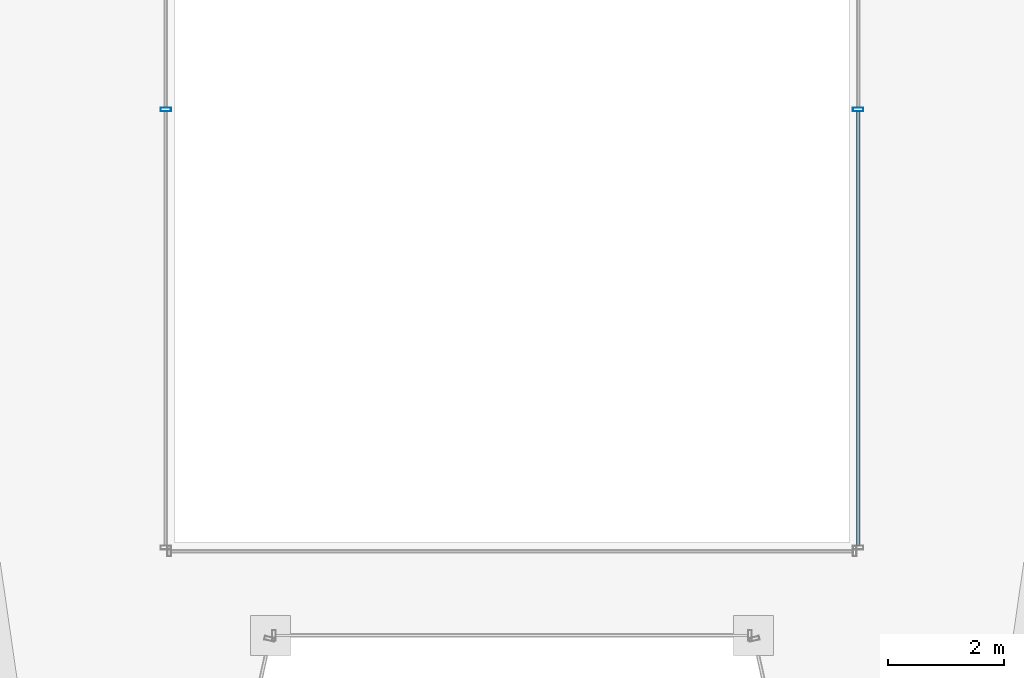
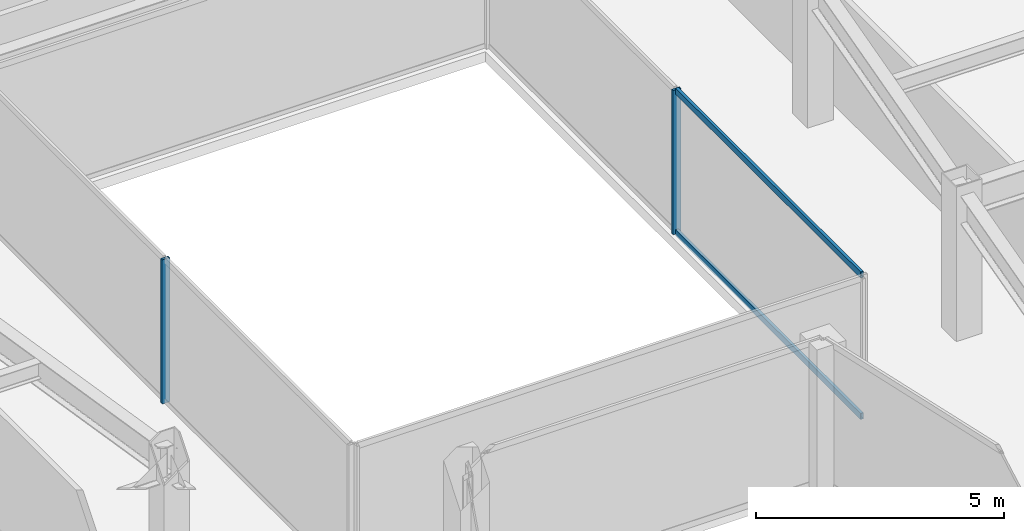
# One storey, part 11 of 38: 4 members, 2 elements without a shape of their own.
"""IFC4 building model written with IfcOpenShell, lengths in metres."""

from ifc_helpers import new_model, si_unit, direction, frame, origin, origin_2d, place, context, subcontext, project, spatial, hollow_rectangle, extrude, material, material_profile, profile_set, type_object, element, aggregate, save


model = new_model("IFC4")

# Units and contexts
model_context = context("Model", 3, precision=1e-05, world=origin(), true_north=direction((0.0, 1.0)))
body_context = subcontext(model_context, "Body", "Model", "MODEL_VIEW")
ifc_project = project(units=[si_unit("LENGTHUNIT", "METRE"), si_unit("AREAUNIT", "SQUARE_METRE"), si_unit("VOLUMEUNIT", "CUBIC_METRE"), si_unit("PLANEANGLEUNIT", "RADIAN"), si_unit("MASSUNIT", "GRAM", prefix="KILO")], contexts=[model_context])

# Site, building, storey
site_placement = place(None, origin())
site = spatial("IfcSite", under=ifc_project, at=site_placement, CompositionType="ELEMENT")
building_placement = place(site_placement, origin())
building = spatial("IfcBuilding", under=site, at=building_placement, Name="Saevonmaru Cultural Tower", CompositionType="ELEMENT")
storey_placement = place(building_placement, frame((0.0, 0.0, 133.39990234375)))
storey = spatial("IfcBuildingStorey", under=building, at=storey_placement, Name="L28", CompositionType="ELEMENT", Elevation=133.39990234375)

# Curtain wall, member
ifc_material = material(Name="Satin Bronze Anodised Aluminium", Category="aluminium")
curtain_wall_type = type_object("IfcCurtainWallType", Name="CW-ATR-GLZ", PredefinedType="NOTDEFINED", material=ifc_material)
curtain_wall_1_placement = place(storey_placement, origin())
curtain_wall_1 = element("IfcCurtainWall", 1, at=curtain_wall_1_placement, inside=storey, type_object=curtain_wall_type, Name="L28 Vertical Atrium Glazed Smoke Screen 2", PredefinedType="NOTDEFINED")
ifc_material_profile_1 = material_profile(ifc_material, hollow_rectangle(XDim=0.06494140625, YDim=0.179931640625, WallThickness=0.00390625, at=origin_2d()), Name="ALU-MULL-180x65x4")
ifc_profile_set_1 = profile_set([ifc_material_profile_1], Name="Satin Bronze Anodised Aluminium")
member_type_1 = type_object("IfcMemberType", Name="ML-CW-INT-180x65", PredefinedType="MULLION", material=ifc_profile_set_1)
member_1_placement = place(storey_placement, frame((35.949951171875, 29.840087890625, 0.0), z_axis=(0.0, 0.0, 1.0), x_axis=(0.0, 1.0, 0.0)))
member_1 = element("IfcMember", 2, at=member_1_placement, type_object=member_type_1, Name="CW-ATR-L28-2 mullion 2", PredefinedType="MULLION", context=body_context, shape_type="SweptSolid", body=[
    extrude(hollow_rectangle(XDim=0.06494140625, YDim=0.179931640625, WallThickness=0.00390625, at=origin_2d()), origin(), (0.0, 0.0, 1.0), 3.550048828125),
])

curtain_wall_2_placement = place(storey_placement, origin())
curtain_wall_2 = element("IfcCurtainWall", 3, at=curtain_wall_2_placement, inside=storey, type_object=curtain_wall_type, Name="L28 Vertical Atrium Glazed Smoke Screen 4", PredefinedType="NOTDEFINED")
member_2_placement = place(storey_placement, frame((24.050048828125, 29.840087890625, 0.0), z_axis=(0.0, 0.0, 1.0), x_axis=(0.0, -1.0, 0.0)))
member_2 = element("IfcMember", 4, at=member_2_placement, type_object=member_type_1, Name="CW-ATR-L28-4 mullion 2", PredefinedType="MULLION", context=body_context, shape_type="SweptSolid", body=[
    extrude(hollow_rectangle(XDim=0.06494140625, YDim=0.179931640625, WallThickness=0.00390625, at=origin_2d()), origin(), (0.0, 0.0, 1.0), 3.550048828125),
])
aggregate(curtain_wall_2, [member_2])

# Member
ifc_material_profile_2 = material_profile(ifc_material, hollow_rectangle(XDim=0.06494140625, YDim=0.14990234375, WallThickness=0.00390625, at=origin_2d()), Name="ALU-TRAN-150x65x4")
ifc_profile_set_2 = profile_set([ifc_material_profile_2], Name="Satin Bronze Anodised Aluminium")
member_type_2 = type_object("IfcMemberType", Name="TR-CW-INT-150x65", PredefinedType="USERDEFINED", material=ifc_profile_set_2)
member_3_placement = place(storey_placement, frame((35.949951171875, 22.342529296875, 0.03271484375), z_axis=(0.0, 1.0, 0.0), x_axis=(-1.0, 0.0, 0.0)))
member_3 = element("IfcMember", 5, at=member_3_placement, type_object=member_type_2, Name="CW-ATR-L28-2 transom 1.1", ObjectType="TRANSOM", PredefinedType="USERDEFINED", context=body_context, shape_type="SweptSolid", body=[
    extrude(hollow_rectangle(XDim=0.06494140625, YDim=0.14990234375, WallThickness=0.00390625, at=origin_2d()), origin(), (0.0, 0.0, 1.0), 7.465087890625),
])

member_4_placement = place(storey_placement, frame((35.949951171875, 22.342529296875, 3.517578125), z_axis=(0.0, 1.0, 0.0), x_axis=(-1.0, 0.0, 0.0)))
member_4 = element("IfcMember", 6, at=member_4_placement, type_object=member_type_2, Name="CW-ATR-L28-2 transom 1.2", ObjectType="TRANSOM", PredefinedType="USERDEFINED", context=body_context, shape_type="SweptSolid", body=[
    extrude(hollow_rectangle(XDim=0.06494140625, YDim=0.14990234375, WallThickness=0.00390625, at=origin_2d()), origin(), (0.0, 0.0, 1.0), 7.465087890625),
])

aggregate(curtain_wall_1, [member_1, member_3, member_4])

save(model, "model.ifc")
